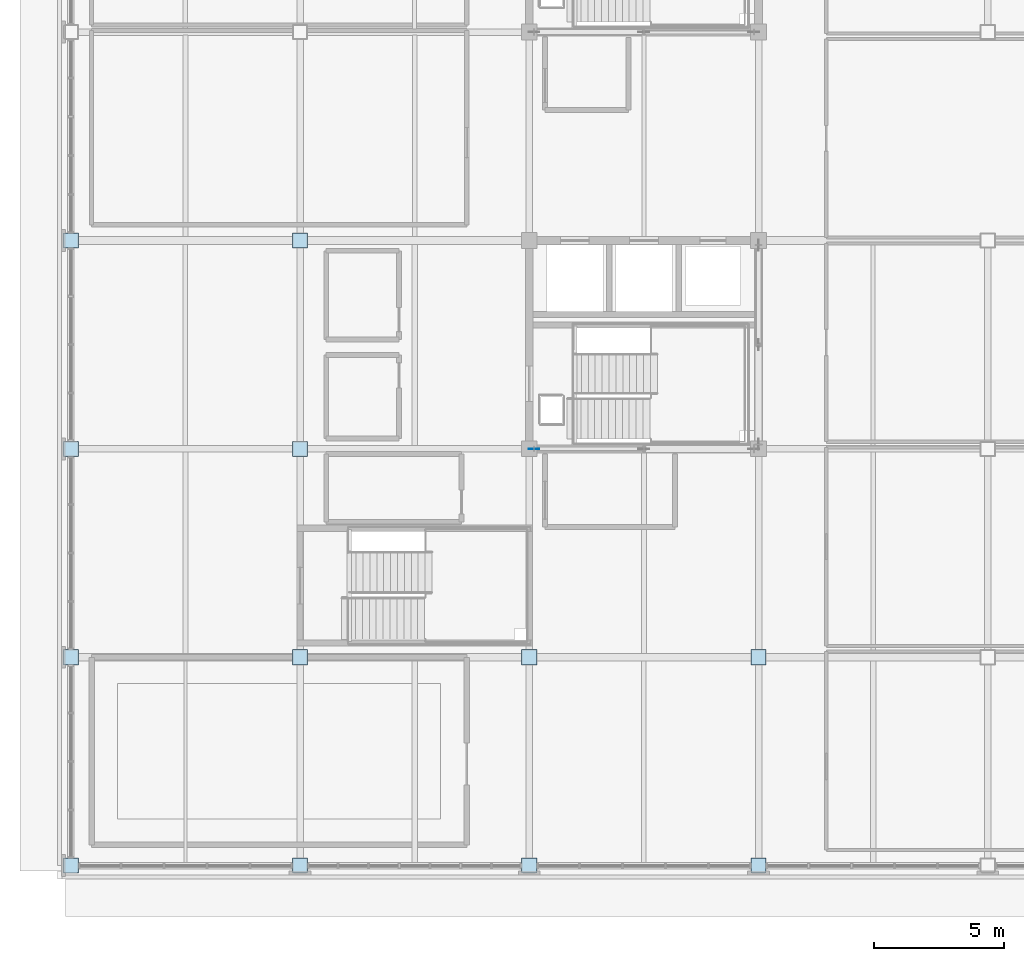
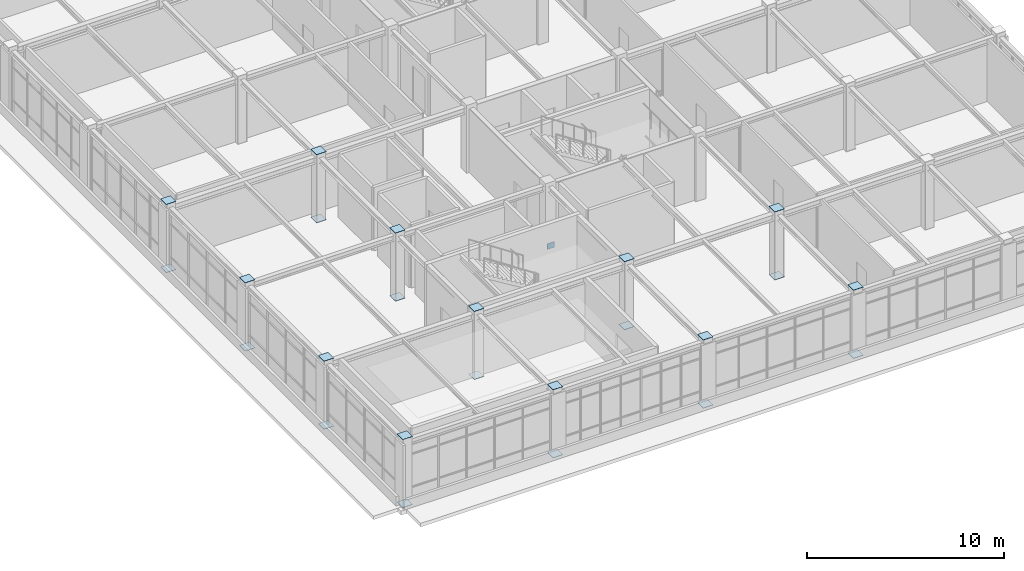
# One storey, part 34 of 64: 25 plates.
"""IFC4 building model written with IfcOpenShell, lengths in metres."""

from ifc_helpers import new_model, si_unit, direction, frame, origin, origin_2d, place, context, subcontext, project, spatial, rectangle, extrude, material, layer, layer_set, type_object, element, save


model = new_model("IFC4")

# Units and contexts
model_context = context("Model", 3, precision=1e-05, world=origin(), true_north=direction((0.0, 1.0)))
body_context = subcontext(model_context, "Body", "Model", "MODEL_VIEW")
ifc_project = project(units=[si_unit("LENGTHUNIT", "METRE"), si_unit("AREAUNIT", "SQUARE_METRE"), si_unit("VOLUMEUNIT", "CUBIC_METRE"), si_unit("PLANEANGLEUNIT", "RADIAN"), si_unit("MASSUNIT", "GRAM", prefix="KILO")], contexts=[model_context])

# Site, building, storey
site_placement = place(None, origin())
site = spatial("IfcSite", under=ifc_project, at=site_placement, CompositionType="ELEMENT")
building_placement = place(site_placement, origin())
building = spatial("IfcBuilding", under=site, at=building_placement, Name="Zhaolan Boulevard Law Courts", CompositionType="ELEMENT")
storey_placement = place(building_placement, frame((0.0, 0.0, 20.39990234375)))
storey = spatial("IfcBuildingStorey", under=building, at=storey_placement, Name="L04", CompositionType="ELEMENT", Elevation=20.39990234375)

# Plates
ifc_material_1 = material(Name="Structural steel Q355B", Category="steel")
ifc_layer_1 = layer(ifc_material_1, 0.02392578125)
ifc_layer_set_1 = layer_set([ifc_layer_1])
plate_type_1 = type_object("IfcPlateType", Name="BRACE GUSSET PLATE 24", PredefinedType="SHEET", material=ifc_layer_set_1)
plate_placement = place(storey_placement, frame((17.780029296875, 46.0, -0.14990234375), z_axis=(0.0, 0.0, 1.0), x_axis=(1.0, 0.0, 0.0)))
element("IfcPlate", 1, at=plate_placement, inside=storey, type_object=plate_type_1, Name="Brace Gusset Connection Plate GP-W1-L04-SA1", PredefinedType="SHEET", context=body_context, shape_type="SweptSolid", body=[
    extrude(rectangle(XDim=0.419921875, YDim=0.02392578125, at=origin_2d()), origin(), (0.0, 0.0, 1.0), 0.360107421875),
])
ifc_material_2 = material(Name="Structural steel Q355B", Category="steel")
ifc_layer_2 = layer(ifc_material_2, 0.02001953125)
ifc_layer_set_2 = layer_set([ifc_layer_2])
plate_type_2 = type_object("IfcPlateType", Name="END CAP PLATE 20", PredefinedType="SHEET", material=ifc_layer_set_2)
for number, where, z_axis, x_axis, name in (
    (2, (0.0, 30.0, -0.017822265625), (0.0, 0.0, 1.0), (1.0, 0.0, 0.0), "Hollow Section End-Cap Plate ECP-0011"),
    (3, (0.0, 30.0, 4.197998046875), (0.0, 0.0, 1.0), (1.0, 0.0, 0.0), "Hollow Section End-Cap Plate ECP-0012"),
    (4, (0.0, 38.0, -0.017822265625), (0.0, 0.0, 1.0), (1.0, 0.0, 0.0), "Hollow Section End-Cap Plate ECP-0031"),
    (5, (0.0, 38.0, 4.197998046875), (0.0, 0.0, 1.0), (1.0, 0.0, 0.0), "Hollow Section End-Cap Plate ECP-0032"),
    (6, (0.0, 46.0, -0.017822265625), (0.0, 0.0, 1.0), (1.0, 0.0, 0.0), "Hollow Section End-Cap Plate ECP-0053"),
    (7, (0.0, 46.0, 4.197998046875), (0.0, 0.0, 1.0), (1.0, 0.0, 0.0), "Hollow Section End-Cap Plate ECP-0054"),
    (8, (0.0, 54.0, -0.017822265625), (0.0, 0.0, 1.0), (1.0, 0.0, 0.0), "Hollow Section End-Cap Plate ECP-0075"),
    (9, (0.0, 54.0, 4.197998046875), (0.0, 0.0, 1.0), (1.0, 0.0, 0.0), "Hollow Section End-Cap Plate ECP-0076"),
    (10, (8.800048828125, 30.0, -0.017822265625), (0.0, 0.0, 1.0), (1.0, 0.0, 0.0), "Hollow Section End-Cap Plate ECP-0145"),
    (11, (8.800048828125, 30.0, 4.197998046875), (0.0, 0.0, 1.0), (1.0, 0.0, 0.0), "Hollow Section End-Cap Plate ECP-0146"),
    (12, (8.800048828125, 38.0, -0.017822265625), (0.0, 0.0, 1.0), (1.0, 0.0, 0.0), "Hollow Section End-Cap Plate ECP-0165"),
    (13, (8.800048828125, 38.0, 4.197998046875), (0.0, 0.0, 1.0), (1.0, 0.0, 0.0), "Hollow Section End-Cap Plate ECP-0166"),
    (14, (8.800048828125, 46.0, -0.017822265625), (0.0, 0.0, 1.0), (1.0, 0.0, 0.0), "Hollow Section End-Cap Plate ECP-0187"),
    (15, (8.800048828125, 46.0, 4.197998046875), (0.0, 0.0, 1.0), (1.0, 0.0, 0.0), "Hollow Section End-Cap Plate ECP-0188"),
    (16, (8.800048828125, 54.0, -0.017822265625), (0.0, 0.0, 1.0), (1.0, 0.0, 0.0), "Hollow Section End-Cap Plate ECP-0209"),
    (17, (8.800048828125, 54.0, 4.197998046875), (0.0, 0.0, 1.0), (1.0, 0.0, 0.0), "Hollow Section End-Cap Plate ECP-0210"),
    (18, (17.60009765625, 30.0, -0.017822265625), (0.0, 0.0, 1.0), (1.0, 0.0, 0.0), "Hollow Section End-Cap Plate ECP-0279"),
    (19, (17.60009765625, 30.0, 4.197998046875), (0.0, 0.0, 1.0), (1.0, 0.0, 0.0), "Hollow Section End-Cap Plate ECP-0280"),
    (20, (17.60009765625, 38.0, -0.017822265625), (0.0, 0.0, 1.0), (1.0, 0.0, 0.0), "Hollow Section End-Cap Plate ECP-0299"),
    (21, (17.60009765625, 38.0, 4.197998046875), (0.0, 0.0, 1.0), (1.0, 0.0, 0.0), "Hollow Section End-Cap Plate ECP-0300"),
    (22, (26.39990234375, 30.0, -0.017822265625), (0.0, 0.0, 1.0), (1.0, 0.0, 0.0), "Hollow Section End-Cap Plate ECP-0325"),
    (23, (26.39990234375, 30.0, 4.197998046875), (0.0, 0.0, 1.0), (1.0, 0.0, 0.0), "Hollow Section End-Cap Plate ECP-0326"),
    (24, (26.39990234375, 38.0, -0.017822265625), (0.0, 0.0, 1.0), (1.0, 0.0, 0.0), "Hollow Section End-Cap Plate ECP-0345"),
    (25, (26.39990234375, 38.0, 4.197998046875), (0.0, 0.0, 1.0), (1.0, 0.0, 0.0), "Hollow Section End-Cap Plate ECP-0346"),
):
    element("IfcPlate", number, at=place(storey_placement, frame(where, z_axis=z_axis, x_axis=x_axis)), inside=storey, type_object=plate_type_2, Name=name, PredefinedType="SHEET", context=body_context, shape_type="SweptSolid", body=[
        extrude(rectangle(XDim=0.580078125, YDim=0.580078125, at=origin_2d()), origin(), (0.0, 0.0, 1.0), 0.02001953125),
    ])

save(model, "model.ifc")
